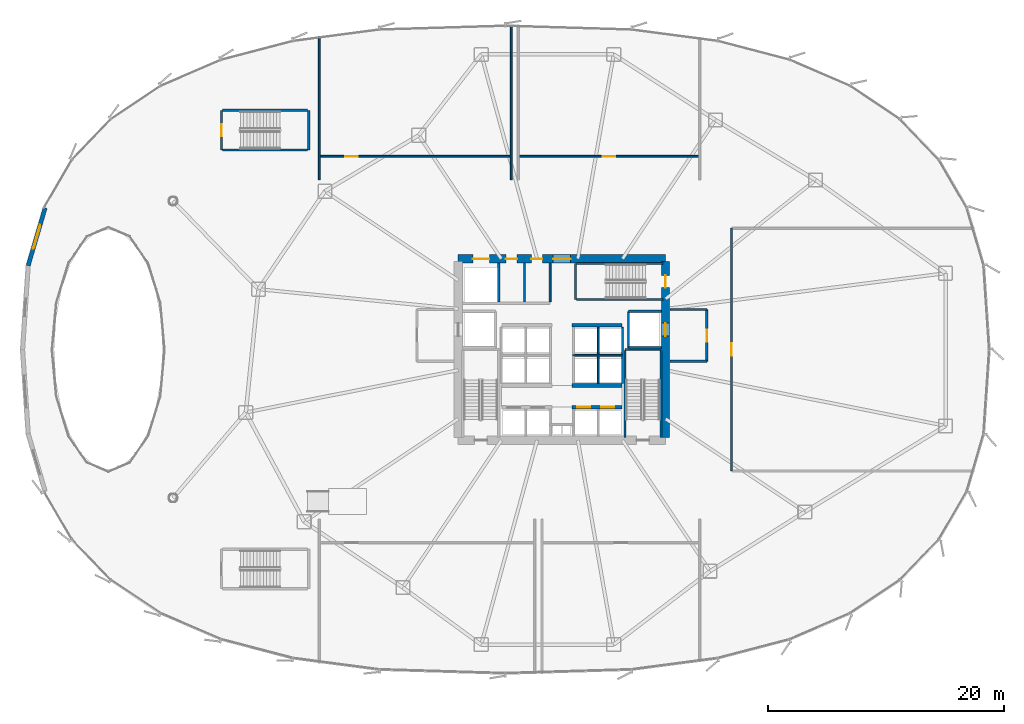
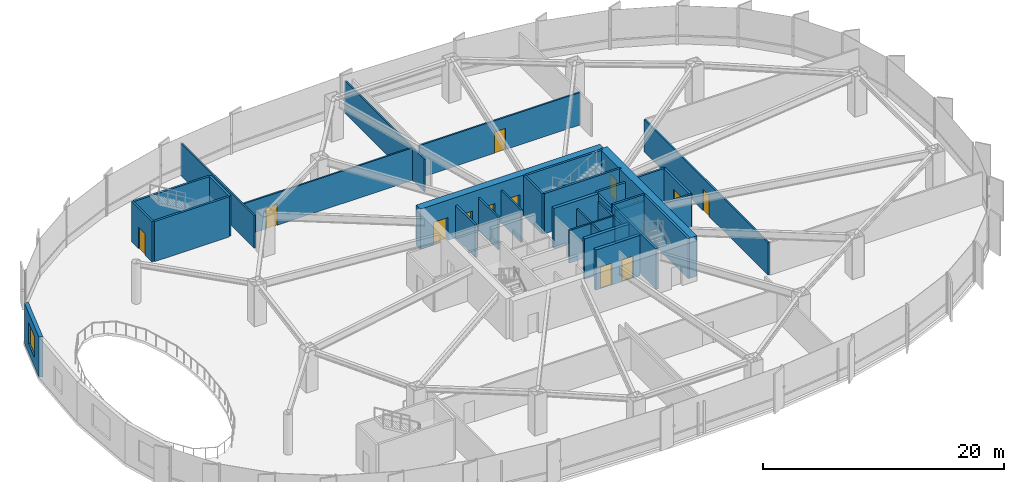
# One storey, part 25 of 34: 35 walls, 13 doors, 1 window, 14 openings.
"""IFC4 building model written with IfcOpenShell, lengths in metres."""

from ifc_helpers import new_model, si_unit, direction, frame, frame_2d, origin, place, context, subcontext, project, spatial, rectangle, extrude, source, transform, mapped, material, layer, layer_set, type_object, element, fill, save


model = new_model("IFC4")

# Units and contexts
model_context = context("Model", 3, precision=1e-05, world=origin(), true_north=direction((0.0, 1.0)))
body_context = subcontext(model_context, "Body", "Model", "MODEL_VIEW")
ifc_project = project(units=[si_unit("LENGTHUNIT", "METRE"), si_unit("AREAUNIT", "SQUARE_METRE"), si_unit("VOLUMEUNIT", "CUBIC_METRE"), si_unit("PLANEANGLEUNIT", "RADIAN"), si_unit("MASSUNIT", "GRAM", prefix="KILO"), si_unit("THERMODYNAMICTEMPERATUREUNIT", "KELVIN")], contexts=[model_context])

# Site, building, storey
site_placement = place(None, origin())
site = spatial("IfcSite", under=ifc_project, at=site_placement, CompositionType="ELEMENT")
building_placement = place(site_placement, origin())
building = spatial("IfcBuilding", under=site, at=building_placement, Name="Kethvar Cultural Tower", CompositionType="ELEMENT")
storey_placement = place(building_placement, frame((0.0, 0.0, 19.60009765625)))
storey = spatial("IfcBuildingStorey", under=building, at=storey_placement, Name="L04", CompositionType="ELEMENT", Elevation=19.60009765625)

# Wall, openings, doors
ifc_material_1 = material(Name="Concrete C60/75", Category="concrete")
ifc_layer_1 = layer(ifc_material_1, 0.699951171875, Name="Concrete C60/75", Category="concrete")
ifc_layer_set_1 = layer_set([ifc_layer_1], Name="Concrete C60/75 (700 mm)")
wall_type_1 = type_object("IfcWallType", Name="WL-CORE-700", PredefinedType="SHEAR", material=ifc_layer_set_1)
wall_1_placement = place(storey_placement, frame((55.60009765625, 35.5, 0.0), z_axis=(0.0, 0.0, 1.0), x_axis=(-1.0, 0.0, 0.0)))
wall_1 = element("IfcWall", 1, at=wall_1_placement, inside=storey, type_object=wall_type_1, Name="L04 Core Shear Wall N", PredefinedType="SHEAR", context=body_context, shape_type="SweptSolid", body=[
    extrude(rectangle(XDim=17.60009765625, YDim=0.699951171875, at=frame_2d((8.800048828125, 0.0))), origin(), (0.0, 0.0, 1.0), 4.079833984375),
])
opening_1_placement = place(wall_1_placement, frame((8.050048828125, 0.0, 0.0)))
opening_1 = element("IfcOpeningElement", 2, at=opening_1_placement, cuts=wall_1, Name="Opening D-L04-LN", PredefinedType="OPENING", context=body_context, shape_type="SweptSolid", body=[
    extrude(rectangle(XDim=1.5, YDim=2.199951171875, at=frame_2d((0.75, 1.10009765625))), frame((0.0, 0.35986328125, 0.0), z_axis=(0.0, -1.0, 0.0), x_axis=(1.0, 0.0, 0.0)), (0.0, 0.0, 1.0), 0.719970703125),
])
opening_2_placement = place(wall_1_placement, frame((14.949951171875, 0.0, 0.0)))
opening_2 = element("IfcOpeningElement", 3, at=opening_2_placement, cuts=wall_1, Name="Opening LD-G1", PredefinedType="OPENING", context=body_context, shape_type="SweptSolid", body=[
    extrude(rectangle(XDim=1.39990234375, YDim=2.300048828125, at=frame_2d((0.699951171875, 1.14990234375))), frame((0.0, 0.35986328125, 0.0), z_axis=(0.0, -1.0, 0.0), x_axis=(1.0, 0.0, 0.0)), (0.0, 0.0, 1.0), 0.719970703125),
])
opening_3_placement = place(wall_1_placement, frame((12.60009765625, 0.0, 0.0)))
opening_3 = element("IfcOpeningElement", 4, at=opening_3_placement, cuts=wall_1, Name="Opening D-L04-W1", PredefinedType="OPENING", context=body_context, shape_type="SweptSolid", body=[
    extrude(rectangle(XDim=0.949951171875, YDim=2.14990234375, at=frame_2d((0.47509765625, 1.074951171875))), frame((0.0, 0.35986328125, 0.0), z_axis=(0.0, -1.0, 0.0), x_axis=(1.0, 0.0, 0.0)), (0.0, 0.0, 1.0), 0.719970703125),
])
opening_4_placement = place(wall_1_placement, frame((10.449951171875, 0.0, 0.0)))
opening_4 = element("IfcOpeningElement", 5, at=opening_4_placement, cuts=wall_1, Name="Opening D-L04-W2", PredefinedType="OPENING", context=body_context, shape_type="SweptSolid", body=[
    extrude(rectangle(XDim=0.949951171875, YDim=2.14990234375, at=frame_2d((0.47509765625, 1.074951171875))), frame((0.0, 0.35986328125, 0.0), z_axis=(0.0, -1.0, 0.0), x_axis=(1.0, 0.0, 0.0)), (0.0, 0.0, 1.0), 0.719970703125),
])
ifc_material_2 = material(Name="Architectural Oak Timber", Category="wood")
door_type_1 = type_object("IfcDoorType", Name="DR-DBL-FD60-1500", OperationType="DOUBLE_DOOR_SINGLE_SWING", PredefinedType="DOOR", material=ifc_material_2)
shared_shape_1 = source(origin(), body_context, "Body", "SweptSolid", [
    extrude(rectangle(XDim=1.5, YDim=2.199951171875, at=frame_2d((0.75, 1.10009765625))), frame((0.0, 0.02490234375, 0.0), z_axis=(0.0, -1.0, 0.0), x_axis=(1.0, 0.0, 0.0)), (0.0, 0.0, 1.0), 0.050048828125),
])
door_1_placement = place(opening_1_placement, origin())
door_1 = element("IfcDoor", 6, at=door_1_placement, inside=storey, type_object=door_type_1, Name="L04 Lift Lobby Concourse Door", OperationType="DOUBLE_DOOR_SINGLE_SWING", OverallHeight=2.199951171875, OverallWidth=1.5, PredefinedType="DOOR", context=body_context, shape_type="MappedRepresentation", body=[
    mapped(shared_shape_1, transform((0.0, 0.0, 0.0), scale=1.0)),
])
fill(opening_1, door_1)
ifc_material_3 = material(Name="Steel S355J2", Category="steel")
door_type_2 = type_object("IfcDoorType", Name="DR-LIFT-SLIDE-1400", OperationType="NOTDEFINED", PredefinedType="DOOR", material=ifc_material_3)
shared_shape_2 = source(origin(), body_context, "Body", "SweptSolid", [
    extrude(rectangle(XDim=1.39990234375, YDim=2.300048828125, at=frame_2d((0.699951171875, 1.14990234375))), frame((0.0, 0.02490234375, 0.0), z_axis=(0.0, -1.0, 0.0), x_axis=(1.0, 0.0, 0.0)), (0.0, 0.0, 1.0), 0.050048828125),
])
door_2_placement = place(opening_2_placement, origin())
door_2 = element("IfcDoor", 7, at=door_2_placement, inside=storey, type_object=door_type_2, Name="L04 Goods Lift Landing Door", OperationType="SLIDING_TO_RIGHT", OverallHeight=2.300048828125, OverallWidth=1.39990234375, PredefinedType="DOOR", context=body_context, shape_type="MappedRepresentation", body=[
    mapped(shared_shape_2, transform((0.0, 0.0, 0.0), scale=1.0)),
])
fill(opening_2, door_2)
door_type_3 = type_object("IfcDoorType", Name="DR-FD30-950", OperationType="NOTDEFINED", PredefinedType="DOOR", material=ifc_material_2)
shared_shape_3 = source(origin(), body_context, "Body", "SweptSolid", [
    extrude(rectangle(XDim=0.949951171875, YDim=2.14990234375, at=frame_2d((0.47509765625, 1.074951171875))), frame((0.0, 0.02490234375, 0.0), z_axis=(0.0, -1.0, 0.0), x_axis=(1.0, 0.0, 0.0)), (0.0, 0.0, 1.0), 0.050048828125),
])
door_3_placement = place(opening_3_placement, origin())
door_3 = element("IfcDoor", 8, at=door_3_placement, inside=storey, type_object=door_type_3, Name="L04 Accessible Washroom Door", OperationType="SINGLE_SWING_LEFT", OverallHeight=2.14990234375, OverallWidth=0.949951171875, PredefinedType="DOOR", context=body_context, shape_type="MappedRepresentation", body=[
    mapped(shared_shape_3, transform((0.0, 0.0, 0.0), scale=1.0)),
])
fill(opening_3, door_3)
door_4_placement = place(opening_4_placement, origin())
door_4 = element("IfcDoor", 9, at=door_4_placement, inside=storey, type_object=door_type_3, Name="L04 Public Washroom Door", OperationType="SINGLE_SWING_RIGHT", OverallHeight=2.14990234375, OverallWidth=0.949951171875, PredefinedType="DOOR", context=body_context, shape_type="MappedRepresentation", body=[
    mapped(shared_shape_3, transform((0.0, 0.0, 0.0), scale=1.0)),
])
fill(opening_4, door_4)

wall_2_placement = place(storey_placement, frame((55.60009765625, 20.340087890625, 0.0), z_axis=(0.0, 0.0, 1.0), x_axis=(0.0, 1.0, 0.0)))
wall_2 = element("IfcWall", 10, at=wall_2_placement, inside=storey, type_object=wall_type_1, Name="L04 Core Shear Wall E", PredefinedType="SHEAR", context=body_context, shape_type="SweptSolid", body=[
    extrude(rectangle(XDim=14.919921875, YDim=0.699951171875, at=frame_2d((7.4599609375, 0.0))), origin(), (0.0, 0.0, 1.0), 4.079833984375),
])
opening_5_placement = place(wall_2_placement, frame((12.7099609375, 0.0, 0.0)))
opening_5 = element("IfcOpeningElement", 11, at=opening_5_placement, cuts=wall_2, Name="Opening D-L04-S3", PredefinedType="OPENING", context=body_context, shape_type="SweptSolid", body=[
    extrude(rectangle(XDim=1.050048828125, YDim=2.14990234375, at=frame_2d((0.52490234375, 1.074951171875))), frame((0.0, 0.35986328125, 0.0), z_axis=(0.0, -1.0, 0.0), x_axis=(1.0, 0.0, 0.0)), (0.0, 0.0, 1.0), 0.719970703125),
])
opening_6_placement = place(wall_2_placement, frame((8.610107421875, 0.0, 0.0)))
opening_6 = element("IfcOpeningElement", 12, at=opening_6_placement, cuts=wall_2, Name="Opening LD-2", PredefinedType="OPENING", context=body_context, shape_type="SweptSolid", body=[
    extrude(rectangle(XDim=1.10009765625, YDim=2.199951171875, at=frame_2d((0.550048828125, 1.10009765625))), frame((0.0, 0.35986328125, 0.0), z_axis=(0.0, -1.0, 0.0), x_axis=(1.0, 0.0, 0.0)), (0.0, 0.0, 1.0), 0.719970703125),
])
door_type_4 = type_object("IfcDoorType", Name="DR-FD60-1050", OperationType="NOTDEFINED", PredefinedType="DOOR", material=ifc_material_3)
shared_shape_4 = source(origin(), body_context, "Body", "SweptSolid", [
    extrude(rectangle(XDim=1.050048828125, YDim=2.14990234375, at=frame_2d((0.52490234375, 1.074951171875))), frame((0.0, 0.02490234375, 0.0), z_axis=(0.0, -1.0, 0.0), x_axis=(1.0, 0.0, 0.0)), (0.0, 0.0, 1.0), 0.050048828125),
])
door_5_placement = place(opening_5_placement, origin())
door_5 = element("IfcDoor", 13, at=door_5_placement, inside=storey, type_object=door_type_4, Name="L04 Exit Stair 3 Door", OperationType="SINGLE_SWING_LEFT", OverallHeight=2.14990234375, OverallWidth=1.050048828125, PredefinedType="DOOR", context=body_context, shape_type="MappedRepresentation", body=[
    mapped(shared_shape_4, transform((0.0, 0.0, 0.0), scale=1.0)),
])
fill(opening_5, door_5)
door_type_5 = type_object("IfcDoorType", Name="DR-LIFT-SLIDE-1100", OperationType="NOTDEFINED", PredefinedType="DOOR", material=ifc_material_3)
shared_shape_5 = source(origin(), body_context, "Body", "SweptSolid", [
    extrude(rectangle(XDim=1.10009765625, YDim=2.199951171875, at=frame_2d((0.550048828125, 1.10009765625))), frame((0.0, 0.02490234375, 0.0), z_axis=(0.0, -1.0, 0.0), x_axis=(1.0, 0.0, 0.0)), (0.0, 0.0, 1.0), 0.050048828125),
])
door_6_placement = place(opening_6_placement, origin())
door_6 = element("IfcDoor", 14, at=door_6_placement, inside=storey, type_object=door_type_5, Name="L04 Firefighting Lift Landing Door FFL-02", OperationType="SLIDING_TO_RIGHT", OverallHeight=2.199951171875, OverallWidth=1.10009765625, PredefinedType="DOOR", context=body_context, shape_type="MappedRepresentation", body=[
    mapped(shared_shape_5, transform((0.0, 0.0, 0.0), scale=1.0)),
])
fill(opening_6, door_6)

# Wall, opening, window
ifc_material_4 = material(Name="Concrete C40/50", Category="concrete")
ifc_layer_2 = layer(ifc_material_4, 0.35009765625, Name="Concrete C40/50", Category="concrete")
ifc_layer_set_2 = layer_set([ifc_layer_2], Name="Concrete C40/50 (350 mm)")
wall_type_2 = type_object("IfcWallType", Name="WL-EXT-PORTAL-350", PredefinedType="SOLIDWALL", material=ifc_layer_set_2)
wall_3_placement = place(storey_placement, frame((1.493408203125, 34.91650390625, 0.0), z_axis=(0.0, 0.0, 1.0), x_axis=(0.281735210535, 0.959492194416, 0.0)))
wall_3 = element("IfcWall", 15, at=wall_3_placement, inside=storey, type_object=wall_type_2, Name="L04 Exterior Portal Wall 17", PredefinedType="SOLIDWALL", context=body_context, shape_type="SweptSolid", body=[
    extrude(rectangle(XDim=5.12060546875, YDim=0.35009765625, at=frame_2d((2.560302734375, 0.0))), origin(), (0.0, 0.0, 1.0), 4.079833984375),
])
opening_7_placement = place(wall_3_placement, frame((1.51025390625, 0.0, 0.949951171875)))
opening_7 = element("IfcOpeningElement", 16, at=opening_7_placement, cuts=wall_3, Name="Opening W-02", PredefinedType="OPENING", context=body_context, shape_type="SweptSolid", body=[
    extrude(rectangle(XDim=2.10009765625, YDim=2.14990234375, at=frame_2d((1.050048828125, 1.074951171875))), frame((0.0, 0.18505859375, 0.0), z_axis=(0.0, -1.0, 0.0), x_axis=(1.0, 0.0, 0.0)), (0.0, 0.0, 1.0), 0.3701171875),
])
ifc_material_5 = material(Name="Insulated Low-E Solar Glass", Category="glass")
window_type = type_object("IfcWindowType", Name="WN-POD-2100", PartitioningType="SINGLE_PANEL", PredefinedType="WINDOW", material=ifc_material_5)
shared_shape_6 = source(origin(), body_context, "Body", "SweptSolid", [
    extrude(rectangle(XDim=2.10009765625, YDim=2.14990234375, at=frame_2d((1.050048828125, 1.074951171875))), frame((0.0, 0.030029296875, 0.0), z_axis=(0.0, -1.0, 0.0), x_axis=(1.0, 0.0, 0.0)), (0.0, 0.0, 1.0), 0.06005859375),
])
window_placement = place(opening_7_placement, origin())
window = element("IfcWindow", 17, at=window_placement, inside=storey, type_object=window_type, Name="L04 Podium Window C16", OverallHeight=2.14990234375, OverallWidth=2.10009765625, PartitioningType="SINGLE_PANEL", PredefinedType="WINDOW", context=body_context, shape_type="MappedRepresentation", body=[
    mapped(shared_shape_6, transform((0.0, 0.0, 0.0), scale=1.0)),
])
fill(opening_7, window)

# Walls
ifc_material_6 = material(Name="Gypsum Fireboard Partition")
ifc_layer_3 = layer(ifc_material_6, 0.14990234375, Name="Gypsum Fireboard Partition")
ifc_layer_set_3 = layer_set([ifc_layer_3], Name="Gypsum Fireboard Partition (150 mm)")
wall_type_3 = type_object("IfcWallType", Name="WL-FIRE-150", PredefinedType="PARTITIONING", material=ifc_layer_set_3)
wall_4_placement = place(storey_placement, frame((47.699951171875, 27.324951171875, 0.0), z_axis=(0.0, 0.0, 1.0), x_axis=(1.0, 0.0, 0.0)))
element("IfcWall", 18, at=wall_4_placement, inside=storey, type_object=wall_type_3, Name="L04 Mid-High Lift Shaft Back Wall E", PredefinedType="PARTITIONING", context=body_context, shape_type="SweptSolid", body=[
    extrude(rectangle(XDim=4.320068359375, YDim=0.14990234375, at=frame_2d((2.16015625, 0.0))), origin(), (0.0, 0.0, 1.0), 3.29296875),
])
for number, where, z_axis, x_axis, name in (
    (19, (49.875, 24.919921875, 0.0), (0.0, 0.0, 1.0), (0.0, 1.0, 0.0), "L04 Mid-Rise Lift Shaft Divider E"),
    (20, (51.949951171875, 24.919921875, 0.0), (0.0, 0.0, 1.0), (0.0, 1.0, 0.0), "L04 Mid-Rise Lift Shaft Outer Wall E"),
):
    element("IfcWall", number, at=place(storey_placement, frame(where, z_axis=z_axis, x_axis=x_axis)), inside=storey, type_object=wall_type_3, Name=name, PredefinedType="PARTITIONING", context=body_context, shape_type="SweptSolid", body=[
        extrude(rectangle(XDim=2.320068359375, YDim=0.14990234375, at=frame_2d((1.16015625, 0.0))), origin(), (0.0, 0.0, 1.0), 3.29296875),
    ])
for number, where, z_axis, x_axis, name in (
    (21, (49.875, 27.409912109375, 0.0), (0.0, 0.0, 1.0), (0.0, 1.0, 0.0), "L04 High-Rise Lift Shaft Divider E"),
    (22, (51.949951171875, 27.409912109375, 0.0), (0.0, 0.0, 1.0), (0.0, 1.0, 0.0), "L04 High-Rise Lift Shaft Outer Wall E"),
):
    element("IfcWall", number, at=place(storey_placement, frame(where, z_axis=z_axis, x_axis=x_axis)), inside=storey, type_object=wall_type_3, Name=name, PredefinedType="PARTITIONING", context=body_context, shape_type="SweptSolid", body=[
        extrude(rectangle(XDim=2.27001953125, YDim=0.14990234375, at=frame_2d((1.135009765625, 0.0))), origin(), (0.0, 0.0, 1.0), 3.29296875),
    ])
wall_5_placement = place(storey_placement, frame((45.800048828125, 31.85009765625, 0.0), z_axis=(0.0, 0.0, 1.0), x_axis=(0.0, 1.0, 0.0)))
element("IfcWall", 23, at=wall_5_placement, inside=storey, type_object=wall_type_3, Name="L04 Sanitary Spine Wall", PredefinedType="PARTITIONING", context=body_context, shape_type="SweptSolid", body=[
    extrude(rectangle(XDim=3.289794921875, YDim=0.14990234375, at=frame_2d((1.64501953125, 0.0))), origin(), (0.0, 0.0, 1.0), 3.29296875),
])

# Wall, opening, door
wall_6_placement = place(storey_placement, frame((61.199951171875, 17.5, 0.0), z_axis=(0.0, 0.0, 1.0), x_axis=(0.0, 1.0, 0.0)))
wall_6 = element("IfcWall", 24, at=wall_6_placement, inside=storey, type_object=wall_type_3, Name="L04 Chamber Recital Hall Wall", PredefinedType="PARTITIONING", context=body_context, shape_type="SweptSolid", body=[
    extrude(rectangle(XDim=20.60009765625, YDim=0.14990234375, at=frame_2d((10.300048828125, 0.0))), origin(), (0.0, 0.0, 1.0), 3.29296875),
])
opening_8_placement = place(wall_6_placement, frame((9.77490234375, 0.0, 0.0)))
opening_8 = element("IfcOpeningElement", 25, at=opening_8_placement, cuts=wall_6, Name="Opening D-L04-P1", PredefinedType="OPENING", context=body_context, shape_type="SweptSolid", body=[
    extrude(rectangle(XDim=1.050048828125, YDim=2.14990234375, at=frame_2d((0.52490234375, 1.074951171875))), frame((0.0, 0.0849609375, 0.0), z_axis=(0.0, -1.0, 0.0), x_axis=(1.0, 0.0, 0.0)), (0.0, 0.0, 1.0), 0.169921875),
])
door_7_placement = place(opening_8_placement, origin())
door_7 = element("IfcDoor", 26, at=door_7_placement, inside=storey, type_object=door_type_4, Name="L04 Chamber Recital Hall Door", OperationType="SINGLE_SWING_RIGHT", OverallHeight=2.14990234375, OverallWidth=1.050048828125, PredefinedType="DOOR", context=body_context, shape_type="MappedRepresentation", body=[
    mapped(shared_shape_4, transform((0.0, 0.0, 0.0), scale=1.0)),
])
fill(opening_8, door_7)

wall_7_placement = place(storey_placement, frame((26.199951171875, 44.199951171875, 0.0), z_axis=(0.0, 0.0, 1.0), x_axis=(1.0, 0.0, 0.0)))
wall_7 = element("IfcWall", 27, at=wall_7_placement, inside=storey, type_object=wall_type_3, Name="L04 Special Collections Vault Wall", PredefinedType="PARTITIONING", context=body_context, shape_type="SweptSolid", body=[
    extrude(rectangle(XDim=16.300048828125, YDim=0.14990234375, at=frame_2d((8.14990234375, 0.0))), origin(), (0.0, 0.0, 1.0), 3.29296875),
])
opening_9_placement = place(wall_7_placement, frame((2.199951171875, 0.0, 0.0)))
opening_9 = element("IfcOpeningElement", 28, at=opening_9_placement, cuts=wall_7, Name="Opening D-L04-P4", PredefinedType="OPENING", context=body_context, shape_type="SweptSolid", body=[
    extrude(rectangle(XDim=1.050048828125, YDim=2.14990234375, at=frame_2d((0.52490234375, 1.074951171875))), frame((0.0, 0.0849609375, 0.0), z_axis=(0.0, -1.0, 0.0), x_axis=(1.0, 0.0, 0.0)), (0.0, 0.0, 1.0), 0.169921875),
])
door_8_placement = place(opening_9_placement, origin())
door_8 = element("IfcDoor", 29, at=door_8_placement, inside=storey, type_object=door_type_4, Name="L04 Special Collections Vault Door", OperationType="SINGLE_SWING_LEFT", OverallHeight=2.14990234375, OverallWidth=1.050048828125, PredefinedType="DOOR", context=body_context, shape_type="MappedRepresentation", body=[
    mapped(shared_shape_4, transform((0.0, 0.0, 0.0), scale=1.0)),
])
fill(opening_9, door_8)

wall_8_placement = place(storey_placement, frame((43.10009765625, 44.199951171875, 0.0), z_axis=(0.0, 0.0, 1.0), x_axis=(1.0, 0.0, 0.0)))
wall_8 = element("IfcWall", 30, at=wall_8_placement, inside=storey, type_object=wall_type_3, Name="L04 Library Fellows' Lounge Wall", PredefinedType="PARTITIONING", context=body_context, shape_type="SweptSolid", body=[
    extrude(rectangle(XDim=15.39990234375, YDim=0.14990234375, at=frame_2d((7.699951171875, 0.0))), origin(), (0.0, 0.0, 1.0), 3.29296875),
])
opening_10_placement = place(wall_8_placement, frame((7.175048828125, 0.0, 0.0)))
opening_10 = element("IfcOpeningElement", 31, at=opening_10_placement, cuts=wall_8, Name="Opening D-L04-P5", PredefinedType="OPENING", context=body_context, shape_type="SweptSolid", body=[
    extrude(rectangle(XDim=1.050048828125, YDim=2.14990234375, at=frame_2d((0.52490234375, 1.074951171875))), frame((0.0, 0.0849609375, 0.0), z_axis=(0.0, -1.0, 0.0), x_axis=(1.0, 0.0, 0.0)), (0.0, 0.0, 1.0), 0.169921875),
])
door_9_placement = place(opening_10_placement, origin())
door_9 = element("IfcDoor", 32, at=door_9_placement, inside=storey, type_object=door_type_4, Name="L04 Library Fellows' Lounge Door", OperationType="SINGLE_SWING_LEFT", OverallHeight=2.14990234375, OverallWidth=1.050048828125, PredefinedType="DOOR", context=body_context, shape_type="MappedRepresentation", body=[
    mapped(shared_shape_4, transform((0.0, 0.0, 0.0), scale=1.0)),
])
fill(opening_10, door_9)

# Walls
ifc_layer_4 = layer(ifc_material_4, 0.199951171875, Name="Concrete C40/50", Category="concrete")
ifc_layer_set_4 = layer_set([ifc_layer_4], Name="Concrete C40/50 (200 mm)")
wall_type_4 = type_object("IfcWallType", Name="WL-FIRE-200", PredefinedType="PARTITIONING", material=ifc_layer_set_4)
wall_9_placement = place(storey_placement, frame((52.449951171875, 27.949951171875, 0.0), z_axis=(0.0, 0.0, 1.0), x_axis=(0.0, 1.0, 0.0)))
element("IfcWall", 33, at=wall_9_placement, inside=storey, type_object=wall_type_4, Name="L04 FFL-02 Shaft Inner Wall", PredefinedType="PARTITIONING", context=body_context, shape_type="SweptSolid", body=[
    extrude(rectangle(XDim=3.10009765625, YDim=0.199951171875, at=frame_2d((1.550048828125, 0.0))), origin(), (0.0, 0.0, 1.0), 3.29296875),
])
for number, where, z_axis, x_axis, name in (
    (34, (52.449951171875, 27.949951171875, 0.0), (0.0, 0.0, 1.0), (1.0, 0.0, 0.0), "L04 FFL-02 Shaft South Wall"),
    (35, (52.449951171875, 31.050048828125, 0.0), (0.0, 0.0, 1.0), (1.0, 0.0, 0.0), "L04 FFL-02 Shaft North Wall"),
):
    element("IfcWall", number, at=place(storey_placement, frame(where, z_axis=z_axis, x_axis=x_axis)), inside=storey, type_object=wall_type_4, Name=name, PredefinedType="PARTITIONING", context=body_context, shape_type="SweptSolid", body=[
        extrude(rectangle(XDim=2.7900390625, YDim=0.199951171875, at=frame_2d((1.39501953125, 0.0))), origin(), (0.0, 0.0, 1.0), 3.29296875),
    ])

# Wall, opening, door
wall_10_placement = place(storey_placement, frame((59.10009765625, 26.800048828125, 0.0), z_axis=(0.0, 0.0, 1.0), x_axis=(0.0, 1.0, 0.0)))
wall_10 = element("IfcWall", 36, at=wall_10_placement, inside=storey, type_object=wall_type_4, Name="L04 Firefighting Lobby 2 Wall", PredefinedType="PARTITIONING", context=body_context, shape_type="SweptSolid", body=[
    extrude(rectangle(XDim=4.39990234375, YDim=0.199951171875, at=frame_2d((2.199951171875, 0.0))), origin(), (0.0, 0.0, 1.0), 3.29296875),
])
opening_11_placement = place(wall_10_placement, frame((1.64990234375, 0.0, 0.0)))
opening_11 = element("IfcOpeningElement", 37, at=opening_11_placement, cuts=wall_10, Name="Opening D-L04-F2", PredefinedType="OPENING", context=body_context, shape_type="SweptSolid", body=[
    extrude(rectangle(XDim=1.050048828125, YDim=2.14990234375, at=frame_2d((0.52490234375, 1.074951171875))), frame((0.0, 0.10986328125, 0.0), z_axis=(0.0, -1.0, 0.0), x_axis=(1.0, 0.0, 0.0)), (0.0, 0.0, 1.0), 0.219970703125),
])
door_10_placement = place(opening_11_placement, origin())
door_10 = element("IfcDoor", 38, at=door_10_placement, inside=storey, type_object=door_type_4, Name="L04 Firefighting Lobby 2 Fire Door", OperationType="SINGLE_SWING_LEFT", OverallHeight=2.14990234375, OverallWidth=1.050048828125, PredefinedType="DOOR", context=body_context, shape_type="MappedRepresentation", body=[
    mapped(shared_shape_4, transform((0.0, 0.0, 0.0), scale=1.0)),
])
fill(opening_11, door_10)

# Walls
for number, where, z_axis, x_axis, name in (
    (39, (55.9599609375, 26.800048828125, 0.0), (0.0, 0.0, 1.0), (1.0, 0.0, 0.0), "L04 FF Lobby 2 South Wall"),
    (40, (55.9599609375, 31.199951171875, 0.0), (0.0, 0.0, 1.0), (1.0, 0.0, 0.0), "L04 FF Lobby 2 North Wall"),
):
    element("IfcWall", number, at=place(storey_placement, frame(where, z_axis=z_axis, x_axis=x_axis)), inside=storey, type_object=wall_type_4, Name=name, PredefinedType="PARTITIONING", context=body_context, shape_type="SweptSolid", body=[
        extrude(rectangle(XDim=3.14013671875, YDim=0.199951171875, at=frame_2d((1.570068359375, 0.0))), origin(), (0.0, 0.0, 1.0), 3.29296875),
    ])
wall_11_placement = place(storey_placement, frame((41.449951171875, 31.85009765625, 0.0), z_axis=(0.0, 0.0, 1.0), x_axis=(0.0, 1.0, 0.0)))
element("IfcWall", 41, at=wall_11_placement, inside=storey, type_object=wall_type_4, Name="L04 NW Core Pocket Wall", PredefinedType="PARTITIONING", context=body_context, shape_type="SweptSolid", body=[
    extrude(rectangle(XDim=3.289794921875, YDim=0.199951171875, at=frame_2d((1.64501953125, 0.0))), origin(), (0.0, 0.0, 1.0), 3.29296875),
])
ifc_material_7 = material(Name="Gypsum Acoustic Partition")
ifc_layer_5 = layer(ifc_material_7, 0.14990234375, Name="Gypsum Acoustic Partition")
ifc_layer_set_5 = layer_set([ifc_layer_5], Name="Gypsum Acoustic Partition (150 mm)")
wall_type_5 = type_object("IfcWallType", Name="WL-PART-150", PredefinedType="PARTITIONING", material=ifc_layer_set_5)
wall_12_placement = place(storey_placement, frame((26.199951171875, 42.199951171875, 0.0), z_axis=(0.0, 0.0, 1.0), x_axis=(0.0, 1.0, 0.0)))
element("IfcWall", 42, at=wall_12_placement, inside=storey, type_object=wall_type_5, Name="L04 Special Collections Vault Side Wall L", PredefinedType="PARTITIONING", context=body_context, shape_type="SweptSolid", body=[
    extrude(rectangle(XDim=12.20703125, YDim=0.14990234375, at=frame_2d((6.103515625, 0.0))), origin(), (0.0, 0.0, 1.0), 3.29296875),
])
wall_13_placement = place(storey_placement, frame((42.5, 42.199951171875, 0.0), z_axis=(0.0, 0.0, 1.0), x_axis=(0.0, 1.0, 0.0)))
element("IfcWall", 43, at=wall_13_placement, inside=storey, type_object=wall_type_5, Name="L04 Special Collections Vault Side Wall R", PredefinedType="PARTITIONING", context=body_context, shape_type="SweptSolid", body=[
    extrude(rectangle(XDim=13.18505859375, YDim=0.14990234375, at=frame_2d((6.592529296875, 0.0))), origin(), (0.0, 0.0, 1.0), 3.29296875),
])
ifc_material_8 = material(Name="Moisture-Resistant Sanitary Chase Wall")
ifc_layer_6 = layer(ifc_material_8, 0.14990234375, Name="Moisture-Resistant Sanitary Chase Wall")
ifc_layer_set_6 = layer_set([ifc_layer_6], Name="Moisture-Resistant Sanitary Chase Wall (150 mm)")
wall_type_6 = type_object("IfcWallType", Name="WL-PLUMB-150", PredefinedType="PLUMBINGWALL", material=ifc_layer_set_6)
wall_14_placement = place(storey_placement, frame((43.6201171875, 31.85009765625, 0.0), z_axis=(0.0, 0.0, 1.0), x_axis=(0.0, 1.0, 0.0)))
element("IfcWall", 44, at=wall_14_placement, inside=storey, type_object=wall_type_6, Name="L04 Sanitary Plumbing Wall", PredefinedType="PLUMBINGWALL", context=body_context, shape_type="SweptSolid", body=[
    extrude(rectangle(XDim=3.289794921875, YDim=0.14990234375, at=frame_2d((1.64501953125, 0.0))), origin(), (0.0, 0.0, 1.0), 3.29296875),
])

# Wall, openings, doors
ifc_material_9 = material(Name="Concrete C50/60", Category="concrete")
ifc_layer_7 = layer(ifc_material_9, 0.300048828125, Name="Concrete C50/60", Category="concrete")
ifc_layer_set_7 = layer_set([ifc_layer_7], Name="Concrete C50/60 (300 mm)")
wall_type_7 = type_object("IfcWallType", Name="WL-SHAFT-300", PredefinedType="SHEAR", material=ifc_layer_set_7)
wall_15_placement = place(storey_placement, frame((47.64990234375, 22.89990234375, 0.0), z_axis=(0.0, 0.0, 1.0), x_axis=(1.0, 0.0, 0.0)))
wall_15 = element("IfcWall", 45, at=wall_15_placement, inside=storey, type_object=wall_type_7, Name="L04 Core Lift Spine Wall MID1E", PredefinedType="SHEAR", context=body_context, shape_type="SweptSolid", body=[
    extrude(rectangle(XDim=4.25, YDim=0.300048828125, at=frame_2d((2.125, 0.0))), origin(), (0.0, 0.0, 1.0), 4.079833984375),
])
opening_12_placement = place(wall_15_placement, frame((0.449951171875, 0.0, 0.0)))
opening_12 = element("IfcOpeningElement", 46, at=opening_12_placement, cuts=wall_15, Name="Opening LD-L3", PredefinedType="OPENING", context=body_context, shape_type="SweptSolid", body=[
    extrude(rectangle(XDim=1.10009765625, YDim=2.199951171875, at=frame_2d((0.550048828125, 1.10009765625))), frame((0.0, 0.159912109375, 0.0), z_axis=(0.0, -1.0, 0.0), x_axis=(1.0, 0.0, 0.0)), (0.0, 0.0, 1.0), 0.320068359375),
])
opening_13_placement = place(wall_15_placement, frame((2.5, 0.0, 0.0)))
opening_13 = element("IfcOpeningElement", 47, at=opening_13_placement, cuts=wall_15, Name="Opening LD-L4", PredefinedType="OPENING", context=body_context, shape_type="SweptSolid", body=[
    extrude(rectangle(XDim=1.10009765625, YDim=2.199951171875, at=frame_2d((0.550048828125, 1.10009765625))), frame((0.0, 0.159912109375, 0.0), z_axis=(0.0, -1.0, 0.0), x_axis=(1.0, 0.0, 0.0)), (0.0, 0.0, 1.0), 0.320068359375),
])
door_11_placement = place(opening_12_placement, origin())
door_11 = element("IfcDoor", 48, at=door_11_placement, inside=storey, type_object=door_type_5, Name="L04 Low-Rise Lift Landing Door L3", OperationType="SLIDING_TO_LEFT", OverallHeight=2.199951171875, OverallWidth=1.10009765625, PredefinedType="DOOR", context=body_context, shape_type="MappedRepresentation", body=[
    mapped(shared_shape_5, transform((0.0, 0.0, 0.0), scale=1.0)),
])
fill(opening_12, door_11)
door_12_placement = place(opening_13_placement, origin())
door_12 = element("IfcDoor", 49, at=door_12_placement, inside=storey, type_object=door_type_5, Name="L04 Low-Rise Lift Landing Door L4", OperationType="SLIDING_TO_LEFT", OverallHeight=2.199951171875, OverallWidth=1.10009765625, PredefinedType="DOOR", context=body_context, shape_type="MappedRepresentation", body=[
    mapped(shared_shape_5, transform((0.0, 0.0, 0.0), scale=1.0)),
])
fill(opening_13, door_12)

# Walls
for number, where, z_axis, x_axis, name in (
    (50, (47.64990234375, 24.75, 0.0), (0.0, 0.0, 1.0), (1.0, 0.0, 0.0), "L04 Core Lift Spine Wall MID2E"),
    (51, (47.64990234375, 29.85009765625, 0.0), (0.0, 0.0, 1.0), (1.0, 0.0, 0.0), "L04 Core Lift Spine Wall MID3E"),
):
    element("IfcWall", number, at=place(storey_placement, frame(where, z_axis=z_axis, x_axis=x_axis)), inside=storey, type_object=wall_type_7, Name=name, PredefinedType="SHEAR", context=body_context, shape_type="SweptSolid", body=[
        extrude(rectangle(XDim=4.25, YDim=0.300048828125, at=frame_2d((2.125, 0.0))), origin(), (0.0, 0.0, 1.0), 4.079833984375),
    ])
ifc_layer_8 = layer(ifc_material_9, 0.199951171875, Name="Concrete C50/60", Category="concrete")
ifc_layer_set_8 = layer_set([ifc_layer_8], Name="Concrete C50/60 (200 mm)")
wall_type_8 = type_object("IfcWallType", Name="WL-STSHAFT-200", PredefinedType="SHEAR", material=ifc_layer_set_8)
wall_16_placement = place(storey_placement, frame((52.14990234375, 27.800048828125, 0.0), z_axis=(0.0, 0.0, 1.0), x_axis=(1.0, 0.0, 0.0)))
element("IfcWall", 52, at=wall_16_placement, inside=storey, type_object=wall_type_8, Name="L04 ST-02 Stair Shaft Wall FAR", PredefinedType="SHEAR", context=body_context, shape_type="SweptSolid", body=[
    extrude(rectangle(XDim=3.06005859375, YDim=0.199951171875, at=frame_2d((1.530029296875, 0.0))), origin(), (0.0, 0.0, 1.0), 4.079833984375),
])
for number, where, z_axis, x_axis, name in (
    (53, (55.2099609375, 27.699951171875, 0.0), (0.0, 0.0, 1.0), (0.0, -1.0, 0.0), "L04 ST-02 Stair Shaft Wall LEFT"),
    (54, (52.14990234375, 20.35009765625, 0.0), (0.0, 0.0, 1.0), (0.0, 1.0, 0.0), "L04 ST-02 Stair Shaft Wall RIGHT"),
):
    element("IfcWall", number, at=place(storey_placement, frame(where, z_axis=z_axis, x_axis=x_axis)), inside=storey, type_object=wall_type_8, Name=name, PredefinedType="SHEAR", context=body_context, shape_type="SweptSolid", body=[
        extrude(rectangle(XDim=7.349853515625, YDim=0.199951171875, at=frame_2d((3.6748046875, 0.0))), origin(), (0.0, 0.0, 1.0), 4.079833984375),
    ])
wall_17_placement = place(storey_placement, frame((47.949951171875, 32.050048828125, 0.0), z_axis=(0.0, 0.0, 1.0), x_axis=(0.0, 1.0, 0.0)))
element("IfcWall", 55, at=wall_17_placement, inside=storey, type_object=wall_type_8, Name="L04 ST-03 Stair Shaft Wall FAR", PredefinedType="SHEAR", context=body_context, shape_type="SweptSolid", body=[
    extrude(rectangle(XDim=3.06005859375, YDim=0.199951171875, at=frame_2d((1.530029296875, 0.0))), origin(), (0.0, 0.0, 1.0), 4.079833984375),
])
for number, where, z_axis, x_axis, name in (
    (56, (48.050048828125, 35.110107421875, 0.0), (0.0, 0.0, 1.0), (1.0, 0.0, 0.0), "L04 ST-03 Stair Shaft Wall LEFT"),
    (57, (55.39990234375, 32.050048828125, 0.0), (0.0, 0.0, 1.0), (-1.0, 0.0, 0.0), "L04 ST-03 Stair Shaft Wall RIGHT"),
):
    element("IfcWall", number, at=place(storey_placement, frame(where, z_axis=z_axis, x_axis=x_axis)), inside=storey, type_object=wall_type_8, Name=name, PredefinedType="SHEAR", context=body_context, shape_type="SweptSolid", body=[
        extrude(rectangle(XDim=7.349853515625, YDim=0.199951171875, at=frame_2d((3.6748046875, 0.0))), origin(), (0.0, 0.0, 1.0), 4.079833984375),
    ])

# Wall, opening, door
wall_18_placement = place(storey_placement, frame((17.89990234375, 44.739990234375, 0.0), z_axis=(0.0, 0.0, 1.0), x_axis=(0.0, 1.0, 0.0)))
wall_18 = element("IfcWall", 58, at=wall_18_placement, inside=storey, type_object=wall_type_8, Name="L04 ST-05 Stair Shaft Wall NEAR", PredefinedType="SHEAR", context=body_context, shape_type="SweptSolid", body=[
    extrude(rectangle(XDim=3.360107421875, YDim=0.199951171875, at=frame_2d((1.68017578125, 0.0))), origin(), (0.0, 0.0, 1.0), 4.079833984375),
])
opening_14_placement = place(wall_18_placement, frame((1.155029296875, 0.0, 0.0)))
opening_14 = element("IfcOpeningElement", 59, at=opening_14_placement, cuts=wall_18, Name="Opening D-L04-ST5", PredefinedType="OPENING", context=body_context, shape_type="SweptSolid", body=[
    extrude(rectangle(XDim=1.050048828125, YDim=2.14990234375, at=frame_2d((0.52490234375, 1.074951171875))), frame((0.0, 0.10986328125, 0.0), z_axis=(0.0, -1.0, 0.0), x_axis=(1.0, 0.0, 0.0)), (0.0, 0.0, 1.0), 0.219970703125),
])
door_13_placement = place(opening_14_placement, origin())
door_13 = element("IfcDoor", 60, at=door_13_placement, inside=storey, type_object=door_type_4, Name="L04 ST-05 Stair Landing Fire Door", OperationType="SINGLE_SWING_LEFT", OverallHeight=2.14990234375, OverallWidth=1.050048828125, PredefinedType="DOOR", context=body_context, shape_type="MappedRepresentation", body=[
    mapped(shared_shape_4, transform((0.0, 0.0, 0.0), scale=1.0)),
])
fill(opening_14, door_13)

# Walls
wall_19_placement = place(storey_placement, frame((25.300048828125, 48.10009765625, 0.0), z_axis=(0.0, 0.0, 1.0), x_axis=(0.0, -1.0, 0.0)))
element("IfcWall", 61, at=wall_19_placement, inside=storey, type_object=wall_type_8, Name="L04 ST-05 Stair Shaft Wall FAR", PredefinedType="SHEAR", context=body_context, shape_type="SweptSolid", body=[
    extrude(rectangle(XDim=3.360107421875, YDim=0.199951171875, at=frame_2d((1.68017578125, 0.0))), origin(), (0.0, 0.0, 1.0), 4.079833984375),
])
for number, where, z_axis, x_axis, name in (
    (62, (25.199951171875, 44.739990234375, 0.0), (0.0, 0.0, 1.0), (-1.0, 0.0, 0.0), "L04 ST-05 Stair Shaft Wall LEFT"),
    (63, (18.0, 48.10009765625, 0.0), (0.0, 0.0, 1.0), (1.0, 0.0, 0.0), "L04 ST-05 Stair Shaft Wall RIGHT"),
):
    element("IfcWall", number, at=place(storey_placement, frame(where, z_axis=z_axis, x_axis=x_axis)), inside=storey, type_object=wall_type_8, Name=name, PredefinedType="SHEAR", context=body_context, shape_type="SweptSolid", body=[
        extrude(rectangle(XDim=7.199951171875, YDim=0.199951171875, at=frame_2d((3.60009765625, 0.0))), origin(), (0.0, 0.0, 1.0), 4.079833984375),
    ])

save(model, "model.ifc")
